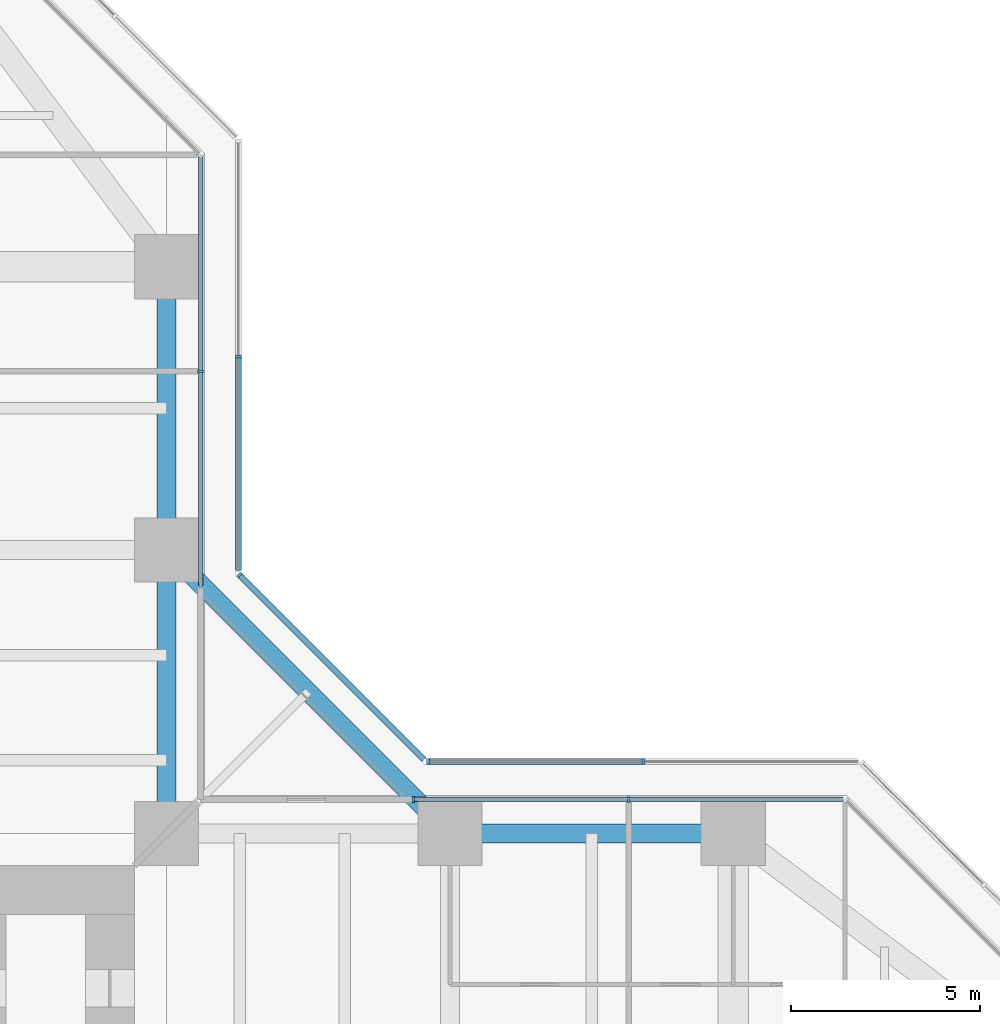
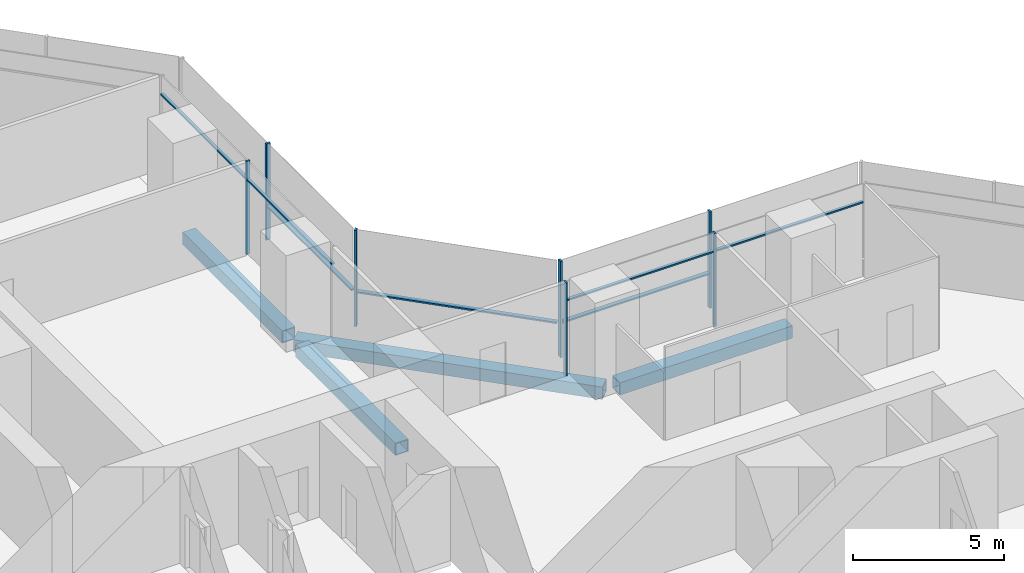
# One storey, part 11 of 22: 14 members, 4 beams, 5 elements without a shape of their own.
"""IFC4 building model written with IfcOpenShell, lengths in metres."""

import ifcopenshell
import ifcopenshell.guid

model = None  # the IFC model being written
_history = None  # IfcOwnerHistory: only IFC2X3 demands one
_inside = {}  # id of a spatial element -> (the spatial element, [elements in it])
_under = {}  # id of a project, library or spatial element -> (it, [spatial elements below it])
_declared = {}  # id of a project -> (the project, [libraries it declares])
_typed = {}  # id of a type object -> (the type object, [elements of that type])
_made_of = {}  # id of a material, layer set ... -> (it, [elements and type objects made of it])


def new_model(schema):
    """Start an empty IFC model of exactly this schema.

    Asked for "IFC4X3", IfcOpenShell would pick the latest addendum, in which some entities
    have other attributes; the version numbers below select the first issue.
    IFC2X3 requires an IfcOwnerHistory on every rooted entity: one is made here for all.
    """
    global model, _history
    if schema == "IFC4X3":
        model = ifcopenshell.file(schema_version=(4, 3, 0, 0))
    else:
        model = ifcopenshell.file(schema=schema)
    _inside.clear()
    _under.clear()
    _declared.clear()
    _typed.clear()
    _made_of.clear()
    _history = None
    if model.schema == "IFC2X3":
        org = make("IfcOrganization", Name="unknown")
        user = make(
            "IfcPersonAndOrganization",
            ThePerson=make("IfcPerson", FamilyName="unknown"),
            TheOrganization=org,
        )
        app = make(
            "IfcApplication",
            ApplicationDeveloper=org,
            Version="unknown",
            ApplicationFullName="unknown",
            ApplicationIdentifier="unknown",
        )
        _history = make(
            "IfcOwnerHistory",
            OwningUser=user,
            OwningApplication=app,
            ChangeAction="ADDED",
            CreationDate=0,
        )
    return model


def make(cls, **values):
    """One entity of the class cls with the attributes given. An attribute that is None is left unset."""
    return model.create_entity(
        cls, **{name: value for name, value in values.items() if value is not None}
    )


def rooted(cls, **values):
    """An entity with a GlobalId (a new one), such as an element, a storey or a relation."""
    return make(cls, GlobalId=ifcopenshell.guid.new(), OwnerHistory=_history, **values)


def si_unit(unit_type, name, prefix=None):
    """IfcSIUnit, for example si_unit("LENGTHUNIT", "METRE", prefix="MILLI")."""
    return make("IfcSIUnit", UnitType=unit_type, Prefix=prefix, Name=name)


def assignment(units):
    """IfcUnitAssignment: the units of a project."""
    return None if units is None else make("IfcUnitAssignment", Units=units)


def point(xyz):
    """IfcCartesianPoint."""
    return None if xyz is None else make("IfcCartesianPoint", Coordinates=xyz)


def direction(xyz):
    """IfcDirection."""
    return None if xyz is None else make("IfcDirection", DirectionRatios=xyz)


def frame(location, z_axis=None, x_axis=None):
    """IfcAxis2Placement3D, a coordinate frame: its origin and axes. An axis left out is left unset."""
    return make(
        "IfcAxis2Placement3D",
        Location=point(location),
        Axis=direction(z_axis),
        RefDirection=direction(x_axis),
    )


def frame_2d(location, x_axis=None):
    """IfcAxis2Placement2D, a coordinate frame in the plane: its origin and x axis."""
    return make(
        "IfcAxis2Placement2D", Location=point(location), RefDirection=direction(x_axis)
    )


def origin():
    """The frame at (0, 0, 0) with its axes left unset."""
    return frame((0.0, 0.0, 0.0))


def origin_2d():
    """The frame at (0, 0) in the plane with its x axis left unset."""
    return frame_2d((0.0, 0.0))


def place(relative_to, where):
    """IfcLocalPlacement: puts the frame where relative to a parent placement (None: the world)."""
    return make(
        "IfcLocalPlacement", PlacementRelTo=relative_to, RelativePlacement=where
    )


def context(
    kind, dimensions, precision=None, world=None, true_north=None, identifier=None
):
    """IfcGeometricRepresentationContext, for example the 3D "Model" context."""
    return make(
        "IfcGeometricRepresentationContext",
        ContextIdentifier=identifier,
        ContextType=kind,
        CoordinateSpaceDimension=dimensions,
        Precision=precision,
        WorldCoordinateSystem=world,
        TrueNorth=true_north,
    )


def subcontext(parent, identifier, kind, view, scale=None):
    """IfcGeometricRepresentationSubContext, for example "Body" below "Model"."""
    return make(
        "IfcGeometricRepresentationSubContext",
        ContextIdentifier=identifier,
        ContextType=kind,
        ParentContext=parent,
        TargetScale=scale,
        TargetView=view,
    )


def project(units=None, contexts=None):
    """IfcProject with its units and contexts."""
    return rooted(
        "IfcProject",
        Name="project",
        RepresentationContexts=contexts,
        UnitsInContext=assignment(units),
    )


def spatial(cls, under=None, at=None, **own):
    """A site, building, storey or space (cls), placed at a placement, below another one or the project."""
    s = rooted(cls, ObjectPlacement=at, **own)
    if under is not None:
        _under.setdefault(under.id(), (under, []))[1].append(s)
    return s


def profile(cls, at=None, kind="AREA", **sizes):
    """A parametric profile (cls). Its sizes go by their IFC names, for example OverallWidth=200.0."""
    return make(cls, ProfileType=kind, Position=at, **sizes)


def rectangle(**sizes):
    """IfcRectangleProfileDef."""
    return profile("IfcRectangleProfileDef", **sizes)


def hollow_rectangle(**sizes):
    """IfcRectangleHollowProfileDef."""
    return profile("IfcRectangleHollowProfileDef", **sizes)


def extrude(swept, where, along, depth):
    """IfcExtrudedAreaSolid: the profile swept, set in the frame where, extruded along a direction by depth."""
    return make(
        "IfcExtrudedAreaSolid",
        SweptArea=swept,
        Position=where,
        ExtrudedDirection=direction(along),
        Depth=depth,
    )


def shape(context_of_items, identifier, shape_type, items):
    """IfcShapeRepresentation: the items that make up one representation, for example the "Body"."""
    return make(
        "IfcShapeRepresentation",
        ContextOfItems=context_of_items,
        RepresentationIdentifier=identifier,
        RepresentationType=shape_type,
        Items=items,
    )


def material(Name=None, Category=None):
    """IfcMaterial."""
    return make("IfcMaterial", Name=Name, Category=Category)


def material_profile(
    of_material, cross_section, Name=None, Category=None, Priority=None
):
    """IfcMaterialProfile: a cross section and its material."""
    return make(
        "IfcMaterialProfile",
        Name=Name,
        Material=of_material,
        Profile=cross_section,
        Priority=Priority,
        Category=Category,
    )


def profile_set(profiles, Name=None, composite=None):
    """IfcMaterialProfileSet."""
    return make(
        "IfcMaterialProfileSet",
        Name=Name,
        MaterialProfiles=profiles,
        CompositeProfile=composite,
    )


def made_of(thing, what):
    """Note that an element or type object is made of a material, layer set ...; save() writes the relation."""
    if what is not None:
        _made_of.setdefault(what.id(), (what, []))[1].append(thing)
    return thing


def type_object(cls, material=None, **own):
    """A type object (cls), such as IfcWallType, which elements share."""
    return made_of(rooted(cls, **own), material)


def element(
    cls,
    number,
    at=None,
    inside=None,
    cuts=None,
    type_object=None,
    material=None,
    context=None,
    identifier="Body",
    shape_type=None,
    held_by="IfcProductDefinitionShape",
    body=None,
    shapes=None,
    **own,
):
    """One element of the class cls, such as IfcWall. Its Tag is "e" and its number.

    at: its placement. inside: the storey or other place that contains it. cuts: it is an
    opening in that element (IfcRelVoidsElement). A single representation is given by context,
    identifier, shape_type and body (its items); several are given by shapes. held_by: the class
    of the entity that holds the representations. save() writes the other relations.
    """
    e = rooted(cls, Tag="e%d" % number, ObjectPlacement=at, **own)
    if body is not None:
        shapes = [shape(context, identifier, shape_type, body)]
    if shapes is not None:
        e.Representation = make(held_by, Representations=shapes)
    if inside is not None:
        _inside.setdefault(inside.id(), (inside, []))[1].append(e)
    if cuts is not None:
        rooted(
            "IfcRelVoidsElement", RelatingBuildingElement=cuts, RelatedOpeningElement=e
        )
    if type_object is not None:
        _typed.setdefault(type_object.id(), (type_object, []))[1].append(e)
    return made_of(e, material)


def aggregate(whole, parts):
    """IfcRelAggregates: a whole, such as a stair, and the parts it consists of."""
    return rooted("IfcRelAggregates", RelatingObject=whole, RelatedObjects=parts)


def save(model, path):
    """Write the relations noted so far, then the file.

    IfcRelAggregates (storeys below a building ...), IfcRelContainedInSpatialStructure (elements
    in a storey), IfcRelDefinesByType, IfcRelAssociatesMaterial and IfcRelDeclares: one each for
    every whole, place, type object, material and project.
    """
    for whole, parts in _under.values():
        aggregate(whole, parts)
    for where, things in _inside.values():
        rooted(
            "IfcRelContainedInSpatialStructure",
            RelatedElements=things,
            RelatingStructure=where,
        )
    for kind, things in _typed.values():
        rooted("IfcRelDefinesByType", RelatedObjects=things, RelatingType=kind)
    for what, things in _made_of.values():
        rooted("IfcRelAssociatesMaterial", RelatedObjects=things, RelatingMaterial=what)
    for by, libraries in _declared.values():
        rooted("IfcRelDeclares", RelatingContext=by, RelatedDefinitions=libraries)
    model.write(path)


model = new_model("IFC4")

# Units and contexts
model_context = context("Model", 3, precision=1e-05, world=origin(), true_north=direction((0.0, 1.0)))
body_context = subcontext(model_context, "Body", "Model", "MODEL_VIEW")
ifc_project = project(units=[si_unit("LENGTHUNIT", "METRE"), si_unit("AREAUNIT", "SQUARE_METRE"), si_unit("VOLUMEUNIT", "CUBIC_METRE"), si_unit("PLANEANGLEUNIT", "RADIAN"), si_unit("MASSUNIT", "GRAM", prefix="KILO")], contexts=[model_context])

# Site, building, storey
site_placement = place(None, origin())
site = spatial("IfcSite", under=ifc_project, at=site_placement, CompositionType="ELEMENT")
building_placement = place(site_placement, origin())
building = spatial("IfcBuilding", under=site, at=building_placement, Name="Mizan Broadcast Tower", CompositionType="ELEMENT")
storey_placement = place(building_placement, frame((0.0, 0.0, 90.300048828125)))
storey = spatial("IfcBuildingStorey", under=building, at=storey_placement, Name="L19", CompositionType="ELEMENT", Elevation=90.300048828125)

# Beams
ifc_material_1 = material(Name="Steel S355", Category="steel")
ifc_material_profile_1 = material_profile(ifc_material_1, hollow_rectangle(XDim=0.5, YDim=0.5, WallThickness=0.030029296875, at=origin_2d()), Name="BOX 500x500x30")
ifc_profile_set_1 = profile_set([ifc_material_profile_1], Name="Steel S355")
beam_type = type_object("IfcBeamType", Name="EDGE BEAM BOX 500x500x30", PredefinedType="SPANDREL", material=ifc_profile_set_1)
for number, where, z_axis, x_axis, name in (
    (1, (19.949951171875, 12.0, -0.380126953125), (1.0, 0.0, 0.0), (0.0, 1.0, 0.0), "Edge beam BOX 500x500x30 L19 east arm"),
    (2, (12.0, 12.449951171875, -0.380126953125), (0.0, 1.0, 0.0), (-1.0, 0.0, 0.0), "Edge beam BOX 500x500x30 L19 north arm"),
    (3, (12.0, 19.949951171875, -0.380126953125), (0.0, 1.0, 0.0), (-1.0, 0.0, 0.0), "Edge beam BOX 500x500x30 L19 north arm"),
):
    element("IfcBeam", number, at=place(storey_placement, frame(where, z_axis=z_axis, x_axis=x_axis)), inside=storey, type_object=beam_type, Name=name, PredefinedType="SPANDREL", context=body_context, shape_type="SweptSolid", body=[
        extrude(hollow_rectangle(XDim=0.5, YDim=0.5, WallThickness=0.030029296875, at=origin_2d()), origin(), (0.0, 0.0, 1.0), 6.60009765625),
    ])
beam_placement = place(storey_placement, frame((19.5, 12.0, -0.380126953125), z_axis=(-0.707106781187, 0.707106781187, 0.0), x_axis=(-0.707106781187, -0.707106781187, 0.0)))
element("IfcBeam", 4, at=beam_placement, inside=storey, type_object=beam_type, Name="Winter garden edge beam L19 E", PredefinedType="SPANDREL", context=body_context, shape_type="SweptSolid", body=[
    extrude(hollow_rectangle(XDim=0.5, YDim=0.5, WallThickness=0.030029296875, at=origin_2d()), origin(), (0.0, 0.0, 1.0), 10.606689453125),
])

# Curtain wall, members
ifc_material_2 = material(Name="Aluminium framed glazing", Category="aluminium")
curtain_wall_type_1 = type_object("IfcCurtainWallType", Name="INNER SKIN LOW ZONE", PredefinedType="USERDEFINED", material=ifc_material_2)
curtain_wall_1_placement = place(storey_placement, origin())
curtain_wall_1 = element("IfcCurtainWall", 5, at=curtain_wall_1_placement, inside=storey, type_object=curtain_wall_type_1, Name="Inner skin low zone L19 E side", ObjectType="INNER SKIN LOW ZONE", PredefinedType="USERDEFINED")
ifc_material_3 = material(Name="Aluminium, pale anodised", Category="aluminium")
ifc_material_profile_2 = material_profile(ifc_material_3, rectangle(XDim=0.159912109375, YDim=0.06005859375, at=origin_2d()), Name="MULLION 160x60")
ifc_profile_set_2 = profile_set([ifc_material_profile_2], Name="Aluminium, pale anodised")
member_type_1 = type_object("IfcMemberType", Name="INNER SKIN MULLION 60x160", PredefinedType="MULLION", material=ifc_profile_set_2)
member_1_placement = place(storey_placement, frame((24.229248046875, 12.89990234375, 0.0), z_axis=(0.0, 0.0, 1.0), x_axis=(0.0, -1.0, 0.0)))
member_1 = element("IfcMember", 6, at=member_1_placement, type_object=member_type_1, Name="Inner skin low zone L19 E side mullion 2", PredefinedType="MULLION", context=body_context, shape_type="SweptSolid", body=[
    extrude(rectangle(XDim=0.159912109375, YDim=0.06005859375, at=origin_2d()), origin(), (0.0, 0.0, 1.0), 3.77001953125),
])
member_2_placement = place(storey_placement, frame((18.530029296875, 12.89990234375, 0.0), z_axis=(0.0, 0.0, 1.0), x_axis=(0.0, -1.0, 0.0)))
member_2 = element("IfcMember", 7, at=member_2_placement, type_object=member_type_1, Name="Inner skin low zone L19 E side mullion 3", PredefinedType="MULLION", context=body_context, shape_type="SweptSolid", body=[
    extrude(rectangle(XDim=0.159912109375, YDim=0.06005859375, at=origin_2d()), origin(), (0.0, 0.0, 1.0), 3.77001953125),
])

# Curtain wall, member
curtain_wall_2_placement = place(storey_placement, origin())
curtain_wall_2 = element("IfcCurtainWall", 8, at=curtain_wall_2_placement, inside=storey, type_object=curtain_wall_type_1, Name="Inner skin low zone L19 N side", ObjectType="INNER SKIN LOW ZONE", PredefinedType="USERDEFINED")
member_3_placement = place(storey_placement, frame((12.89990234375, 24.229248046875, 0.0), z_axis=(0.0, 0.0, 1.0), x_axis=(-1.0, 0.0, 0.0)))
member_3 = element("IfcMember", 9, at=member_3_placement, type_object=member_type_1, Name="Inner skin low zone L19 N side mullion 2", PredefinedType="MULLION", context=body_context, shape_type="SweptSolid", body=[
    extrude(rectangle(XDim=0.159912109375, YDim=0.06005859375, at=origin_2d()), origin(), (0.0, 0.0, 1.0), 3.77001953125),
])

# Member
ifc_material_4 = material(Name="Aluminium, pale anodised", Category="aluminium")
ifc_material_profile_3 = material_profile(ifc_material_4, rectangle(XDim=0.1201171875, YDim=0.06005859375, at=origin_2d()), Name="TRANSOM 120x60")
ifc_profile_set_3 = profile_set([ifc_material_profile_3], Name="Aluminium, pale anodised")
member_type_2 = type_object("IfcMemberType", Name="INNER SKIN TRANSOM 60x120", PredefinedType="USERDEFINED", material=ifc_profile_set_3)
member_4_placement = place(storey_placement, frame((29.898681640625, 12.89990234375, 3.030029296875), z_axis=(-1.0, 0.0, 0.0), x_axis=(0.0, -1.0, 0.0)))
member_4 = element("IfcMember", 10, at=member_4_placement, type_object=member_type_2, Name="Inner skin low zone L19 E side transom 1.1", ObjectType="TRANSOM", PredefinedType="USERDEFINED", context=body_context, shape_type="SweptSolid", body=[
    extrude(rectangle(XDim=0.1201171875, YDim=0.06005859375, at=origin_2d()), origin(), (0.0, 0.0, 1.0), 5.639404296875),
])

member_5_placement = place(storey_placement, frame((24.19921875, 12.89990234375, 3.030029296875), z_axis=(-1.0, 0.0, 0.0), x_axis=(0.0, -1.0, 0.0)))
member_5 = element("IfcMember", 11, at=member_5_placement, type_object=member_type_2, Name="Inner skin low zone L19 E side transom 2.1", ObjectType="TRANSOM", PredefinedType="USERDEFINED", context=body_context, shape_type="SweptSolid", body=[
    extrude(rectangle(XDim=0.1201171875, YDim=0.06005859375, at=origin_2d()), origin(), (0.0, 0.0, 1.0), 5.63916015625),
])

aggregate(curtain_wall_1, [member_1, member_2, member_4, member_5])

member_6_placement = place(storey_placement, frame((12.89990234375, 18.56005859375, 3.030029296875), z_axis=(0.0, 1.0, 0.0), x_axis=(-1.0, 0.0, 0.0)))
member_6 = element("IfcMember", 12, at=member_6_placement, type_object=member_type_2, Name="Inner skin low zone L19 N side transom 1.1", ObjectType="TRANSOM", PredefinedType="USERDEFINED", context=body_context, shape_type="SweptSolid", body=[
    extrude(rectangle(XDim=0.1201171875, YDim=0.06005859375, at=origin_2d()), origin(), (0.0, 0.0, 1.0), 5.63916015625),
])

member_7_placement = place(storey_placement, frame((12.89990234375, 24.25927734375, 3.030029296875), z_axis=(0.0, 1.0, 0.0), x_axis=(-1.0, 0.0, 0.0)))
member_7 = element("IfcMember", 13, at=member_7_placement, type_object=member_type_2, Name="Inner skin low zone L19 N side transom 2.1", ObjectType="TRANSOM", PredefinedType="USERDEFINED", context=body_context, shape_type="SweptSolid", body=[
    extrude(rectangle(XDim=0.1201171875, YDim=0.06005859375, at=origin_2d()), origin(), (0.0, 0.0, 1.0), 5.639404296875),
])

aggregate(curtain_wall_2, [member_3, member_6, member_7])

# Curtain wall, members
ifc_material_5 = material(Name="Aluminium framed glazing", Category="aluminium")
curtain_wall_type_2 = type_object("IfcCurtainWallType", Name="OUTER SKIN", PredefinedType="USERDEFINED", material=ifc_material_5)
curtain_wall_3_placement = place(storey_placement, origin())
curtain_wall_3 = element("IfcCurtainWall", 14, at=curtain_wall_3_placement, inside=storey, type_object=curtain_wall_type_2, Name="Outer skin L19 E side", ObjectType="OUTER SKIN", PredefinedType="USERDEFINED")
ifc_material_6 = material(Name="Aluminium, pale anodised", Category="aluminium")
ifc_material_profile_4 = material_profile(ifc_material_6, rectangle(XDim=0.159912109375, YDim=0.080078125, at=origin_2d()), Name="MULLION 160x80")
ifc_profile_set_4 = profile_set([ifc_material_profile_4], Name="Aluminium, pale anodised")
member_type_3 = type_object("IfcMemberType", Name="OUTER SKIN MULLION 80x160", PredefinedType="MULLION", material=ifc_profile_set_4)
member_8_placement = place(storey_placement, frame((24.622802734375, 13.89990234375, 0.0), z_axis=(0.0, 0.0, 1.0), x_axis=(0.0, -1.0, 0.0)))
member_8 = element("IfcMember", 15, at=member_8_placement, type_object=member_type_3, Name="Outer skin L19 E side mullion 2", PredefinedType="MULLION", context=body_context, shape_type="SweptSolid", body=[
    extrude(rectangle(XDim=0.159912109375, YDim=0.080078125, at=origin_2d()), origin(), (0.0, 0.0, 1.0), 3.89990234375),
])
member_9_placement = place(storey_placement, frame((18.912841796875, 13.89990234375, 0.0), z_axis=(0.0, 0.0, 1.0), x_axis=(0.0, -1.0, 0.0)))
member_9 = element("IfcMember", 16, at=member_9_placement, type_object=member_type_3, Name="Outer skin L19 E side mullion 3", PredefinedType="MULLION", context=body_context, shape_type="SweptSolid", body=[
    extrude(rectangle(XDim=0.159912109375, YDim=0.080078125, at=origin_2d()), origin(), (0.0, 0.0, 1.0), 3.89990234375),
])

# Curtain wall, member
curtain_wall_4_placement = place(storey_placement, origin())
curtain_wall_4 = element("IfcCurtainWall", 17, at=curtain_wall_4_placement, inside=storey, type_object=curtain_wall_type_2, Name="Outer skin L19 E chamfer", ObjectType="OUTER SKIN", PredefinedType="USERDEFINED")
member_10_placement = place(storey_placement, frame((13.92822265625, 18.844482421875, 0.0), z_axis=(0.0, 0.0, 1.0), x_axis=(-0.707106781187, -0.707106781187, 0.0)))
member_10 = element("IfcMember", 18, at=member_10_placement, type_object=member_type_3, Name="Outer skin L19 E chamfer mullion 2", PredefinedType="MULLION", context=body_context, shape_type="SweptSolid", body=[
    extrude(rectangle(XDim=0.159912109375, YDim=0.080078125, at=origin_2d()), origin(), (0.0, 0.0, 1.0), 3.89990234375),
])

curtain_wall_5_placement = place(storey_placement, origin())
curtain_wall_5 = element("IfcCurtainWall", 19, at=curtain_wall_5_placement, inside=storey, type_object=curtain_wall_type_2, Name="Outer skin L19 N side", ObjectType="OUTER SKIN", PredefinedType="USERDEFINED")
member_11_placement = place(storey_placement, frame((13.89990234375, 24.622802734375, 0.0), z_axis=(0.0, 0.0, 1.0), x_axis=(-1.0, 0.0, 0.0)))
member_11 = element("IfcMember", 20, at=member_11_placement, type_object=member_type_3, Name="Outer skin L19 N side mullion 2", PredefinedType="MULLION", context=body_context, shape_type="SweptSolid", body=[
    extrude(rectangle(XDim=0.159912109375, YDim=0.080078125, at=origin_2d()), origin(), (0.0, 0.0, 1.0), 3.89990234375),
])

# Member
ifc_material_7 = material(Name="Aluminium, pale anodised", Category="aluminium")
ifc_material_profile_5 = material_profile(ifc_material_7, rectangle(XDim=0.159912109375, YDim=0.06005859375, at=origin_2d()), Name="TRANSOM 160x60")
ifc_profile_set_5 = profile_set([ifc_material_profile_5], Name="Aluminium, pale anodised")
member_type_4 = type_object("IfcMemberType", Name="OUTER SKIN TRANSOM 60x160", PredefinedType="USERDEFINED", material=ifc_profile_set_5)
member_12_placement = place(storey_placement, frame((24.582763671875, 13.89990234375, 1.39990234375), z_axis=(-1.0, 0.0, 0.0), x_axis=(0.0, -1.0, 0.0)))
member_12 = element("IfcMember", 21, at=member_12_placement, type_object=member_type_4, Name="Outer skin L19 E side transom 2.1", ObjectType="TRANSOM", PredefinedType="USERDEFINED", context=body_context, shape_type="SweptSolid", body=[
    extrude(rectangle(XDim=0.159912109375, YDim=0.06005859375, at=origin_2d()), origin(), (0.0, 0.0, 1.0), 5.6298828125),
])

aggregate(curtain_wall_3, [member_8, member_9, member_12])

member_13_placement = place(storey_placement, frame((18.816162109375, 13.95654296875, 1.39990234375), z_axis=(-0.707106781187, 0.707106781187, 0.0), x_axis=(-0.707106781187, -0.707106781187, 0.0)))
member_13 = element("IfcMember", 22, at=member_13_placement, type_object=member_type_4, Name="Outer skin L19 E chamfer transom 1.1", ObjectType="TRANSOM", PredefinedType="USERDEFINED", context=body_context, shape_type="SweptSolid", body=[
    extrude(rectangle(XDim=0.159912109375, YDim=0.06005859375, at=origin_2d()), origin(), (0.0, 0.0, 1.0), 6.87255859375),
])

aggregate(curtain_wall_4, [member_10, member_13])

member_14_placement = place(storey_placement, frame((13.89990234375, 18.952880859375, 1.39990234375), z_axis=(0.0, 1.0, 0.0), x_axis=(-1.0, 0.0, 0.0)))
member_14 = element("IfcMember", 23, at=member_14_placement, type_object=member_type_4, Name="Outer skin L19 N side transom 1.1", ObjectType="TRANSOM", PredefinedType="USERDEFINED", context=body_context, shape_type="SweptSolid", body=[
    extrude(rectangle(XDim=0.159912109375, YDim=0.06005859375, at=origin_2d()), origin(), (0.0, 0.0, 1.0), 5.6298828125),
])

aggregate(curtain_wall_5, [member_11, member_14])

save(model, "model.ifc")
